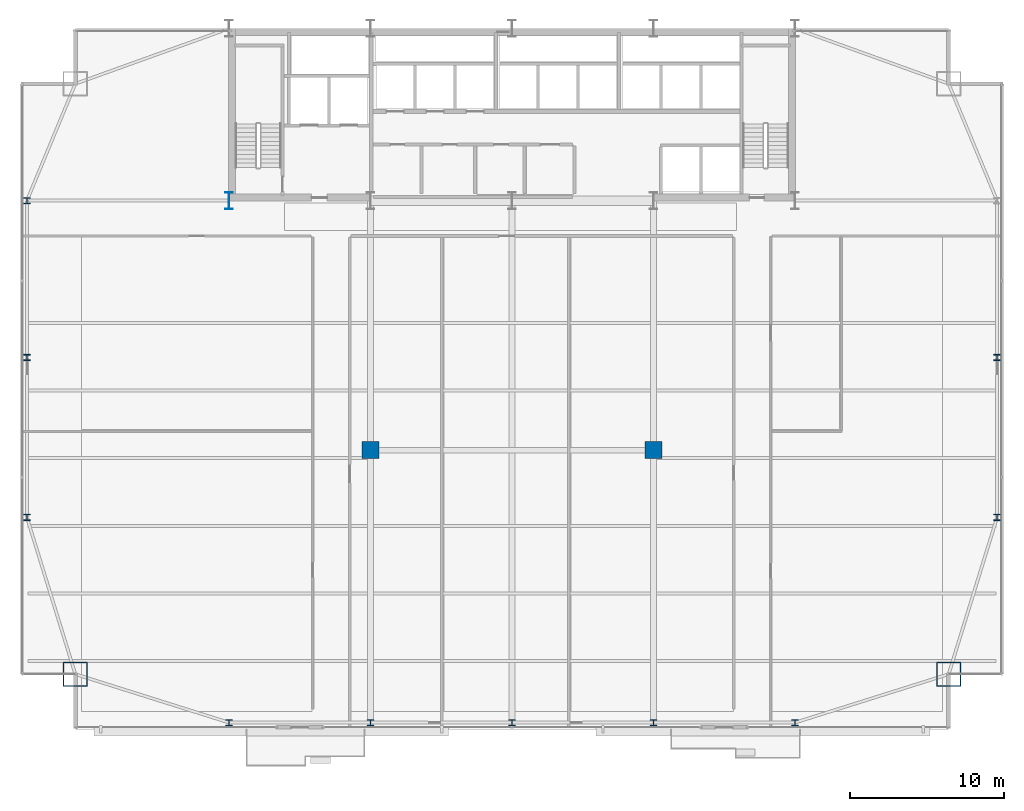
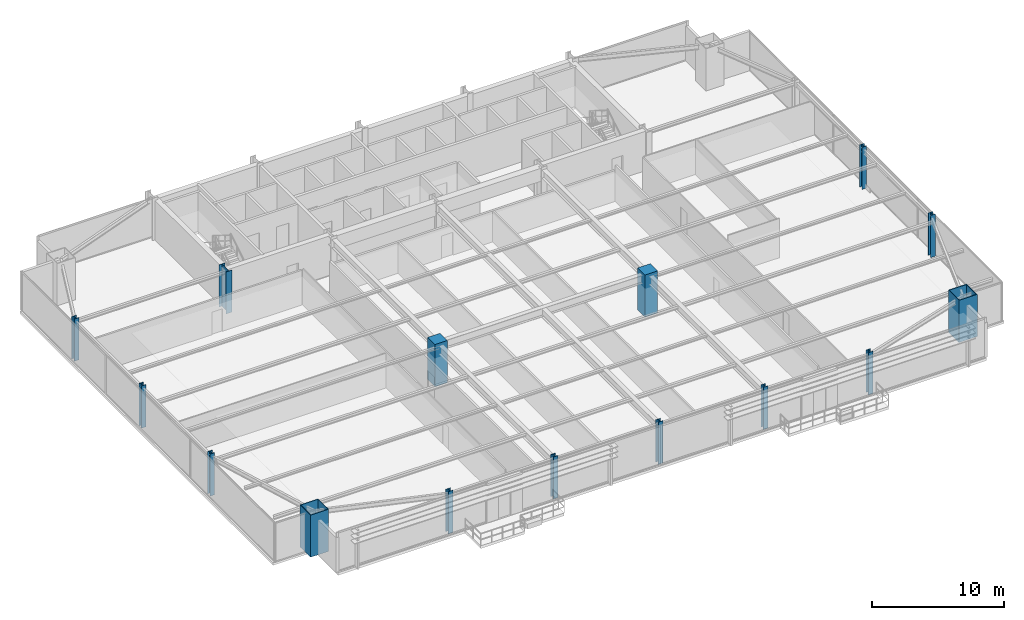
# One storey, part 1 of 31: 15 columns.
"""IFC4 building model written with IfcOpenShell, lengths in metres."""

from ifc_helpers import new_model, si_unit, direction, frame, origin, origin_2d, place, context, subcontext, project, spatial, rectangle, hollow_rectangle, i_section, extrude, source, transform, mapped, material, material_profile, profile_set, type_object, type_shapes, element, save


model = new_model("IFC4")

# Units and contexts
model_context = context("Model", 3, precision=1e-05, world=origin(), true_north=direction((0.0, 1.0)))
body_context = subcontext(model_context, "Body", "Model", "MODEL_VIEW")
ifc_project = project(units=[si_unit("LENGTHUNIT", "METRE"), si_unit("AREAUNIT", "SQUARE_METRE"), si_unit("VOLUMEUNIT", "CUBIC_METRE"), si_unit("PLANEANGLEUNIT", "RADIAN"), si_unit("MASSUNIT", "GRAM", prefix="KILO")], contexts=[model_context])

# Site, building, storey
site_placement = place(None, origin())
site = spatial("IfcSite", under=ifc_project, at=site_placement, CompositionType="ELEMENT")
building_placement = place(site_placement, origin())
building = spatial("IfcBuilding", under=site, at=building_placement, Name="Varnel Quay Broadcast Tower", CompositionType="ELEMENT")
storey_placement = place(building_placement, frame((0.0, 0.0, 35.39990234375)))
storey = spatial("IfcBuildingStorey", under=building, at=storey_placement, Name="L07", CompositionType="ELEMENT", Elevation=35.39990234375)

# Columns
ifc_material_1 = material(Name="Structural Steel CSA G40.21 350WT", Category="steel")
ifc_material_profile_1 = material_profile(ifc_material_1, i_section(OverallWidth=0.5, OverallDepth=1.10009765625, WebThickness=0.01806640625, FlangeThickness=0.031982421875, FilletRadius=0.01806640625, at=origin_2d()), Name="WWF1100X418")
ifc_profile_set_1 = profile_set([ifc_material_profile_1], Name="Structural Steel CSA G40.21 350WT")
column_type_1 = type_object("IfcColumnType", Name="Col_WWF1100X418", PredefinedType="COLUMN", material=ifc_profile_set_1)
shared_shape_1 = source(origin(), body_context, "Body", "SweptSolid", [
    extrude(i_section(OverallWidth=0.5, OverallDepth=1.10009765625, WebThickness=0.01806640625, FlangeThickness=0.031982421875, FilletRadius=0.01806640625, at=origin_2d()), origin(), (0.0, 0.0, 1.0), 3.900146484375),
])
type_shapes(column_type_1, [shared_shape_1])
column_placement = place(storey_placement, frame((15.60009765625, 35.60009765625, 0.0), z_axis=(0.0, 0.0, 1.0), x_axis=(1.0, 0.0, 0.0)))
element("IfcColumn", 1, at=column_placement, inside=storey, type_object=column_type_1, Name="L07 Column CC-S1", PredefinedType="COLUMN", context=body_context, shape_type="MappedRepresentation", body=[
    mapped(shared_shape_1, transform((0.0, 0.0, 0.0), x_axis=(1.0, 0.0, 0.0), y_axis=(0.0, 1.0, 0.0), z_axis=(0.0, 0.0, 1.0), scale=1.0)),
])
ifc_material_profile_2 = material_profile(ifc_material_1, hollow_rectangle(XDim=1.60009765625, YDim=1.60009765625, WallThickness=0.06005859375, at=origin_2d()), Name="BOX1600X1600X60")
ifc_profile_set_2 = profile_set([ifc_material_profile_2], Name="Structural Steel CSA G40.21 350WT")
column_type_2 = type_object("IfcColumnType", Name="Col_BOX1600X1600X60", PredefinedType="COLUMN", material=ifc_profile_set_2)
shared_shape_2 = source(origin(), body_context, "Body", "SweptSolid", [
    extrude(hollow_rectangle(XDim=1.60009765625, YDim=1.60009765625, WallThickness=0.06005859375, at=origin_2d()), origin(), (0.0, 0.0, 1.0), 3.900146484375),
])
type_shapes(column_type_2, [shared_shape_2])
for number, where, z_axis, x_axis, name in (
    (2, (5.60009765625, 4.800048828125, 0.0), (0.0, 0.0, 1.0), (1.0, 0.0, 0.0), "L07 Column MC-SW"),
    (3, (62.39990234375, 4.800048828125, 0.0), (0.0, 0.0, 1.0), (1.0, 0.0, 0.0), "L07 Column MC-SE"),
):
    element("IfcColumn", number, at=place(storey_placement, frame(where, z_axis=z_axis, x_axis=x_axis)), inside=storey, type_object=column_type_2, Name=name, PredefinedType="COLUMN", context=body_context, shape_type="MappedRepresentation", body=[
        mapped(shared_shape_2, transform((0.0, 0.0, 0.0), x_axis=(1.0, 0.0, 0.0), y_axis=(0.0, 1.0, 0.0), z_axis=(0.0, 0.0, 1.0), scale=1.0)),
    ])
ifc_material_2 = material(Name="Structural Steel CSA G40.21 350W", Category="steel")
ifc_material_profile_3 = material_profile(ifc_material_2, i_section(OverallWidth=0.404052734375, OverallDepth=0.406982421875, WebThickness=0.027099609375, FlangeThickness=0.043701171875, FilletRadius=0.01806640625, at=origin_2d()), Name="W360X347")
ifc_profile_set_3 = profile_set([ifc_material_profile_3], Name="Structural Steel CSA G40.21 350W")
column_type_3 = type_object("IfcColumnType", Name="Col_W360X347", PredefinedType="COLUMN", material=ifc_profile_set_3)
shared_shape_3 = source(origin(), body_context, "Body", "SweptSolid", [
    extrude(i_section(OverallWidth=0.404052734375, OverallDepth=0.406982421875, WebThickness=0.027099609375, FlangeThickness=0.043701171875, FilletRadius=0.01806640625, at=origin_2d()), origin(), (0.0, 0.0, 1.0), 3.900146484375),
])
type_shapes(column_type_3, [shared_shape_3])
for number, where, z_axis, x_axis, name in (
    (4, (15.60009765625, 1.64990234375, 0.0), (0.0, 0.0, 1.0), (1.0, 0.0, 0.0), "L07 Column TC-S1"),
    (5, (24.800048828125, 1.64990234375, 0.0), (0.0, 0.0, 1.0), (1.0, 0.0, 0.0), "L07 Column TC-S2"),
    (6, (34.0, 1.64990234375, 0.0), (0.0, 0.0, 1.0), (1.0, 0.0, 0.0), "L07 Column TC-S3"),
    (7, (43.199951171875, 1.64990234375, 0.0), (0.0, 0.0, 1.0), (1.0, 0.0, 0.0), "L07 Column TC-S4"),
    (8, (52.39990234375, 1.64990234375, 0.0), (0.0, 0.0, 1.0), (1.0, 0.0, 0.0), "L07 Column TC-S5"),
    (9, (2.449951171875, 15.0, 0.0), (0.0, 0.0, 1.0), (1.0, 0.0, 0.0), "L07 Column TC-W1"),
    (10, (65.550048828125, 15.0, 0.0), (0.0, 0.0, 1.0), (1.0, 0.0, 0.0), "L07 Column TC-E1"),
    (11, (2.449951171875, 25.39990234375, 0.0), (0.0, 0.0, 1.0), (1.0, 0.0, 0.0), "L07 Column TC-W2"),
    (12, (65.550048828125, 25.39990234375, 0.0), (0.0, 0.0, 1.0), (1.0, 0.0, 0.0), "L07 Column TC-E2"),
    (13, (2.449951171875, 35.60009765625, 0.0), (0.0, 0.0, 1.0), (1.0, 0.0, 0.0), "L07 Column TC-W3"),
):
    element("IfcColumn", number, at=place(storey_placement, frame(where, z_axis=z_axis, x_axis=x_axis)), inside=storey, type_object=column_type_3, Name=name, PredefinedType="COLUMN", context=body_context, shape_type="MappedRepresentation", body=[
        mapped(shared_shape_3, transform((0.0, 0.0, 0.0), x_axis=(1.0, 0.0, 0.0), y_axis=(0.0, 1.0, 0.0), z_axis=(0.0, 0.0, 1.0), scale=1.0)),
    ])
ifc_material_3 = material(Name="Concrete CSA A23.3 C60/75", Category="concrete")
ifc_material_profile_4 = material_profile(ifc_material_3, rectangle(XDim=1.10009765625, YDim=1.10009765625, at=origin_2d()), Name="RC1100X1100")
ifc_profile_set_4 = profile_set([ifc_material_profile_4], Name="Concrete CSA A23.3 C60/75")
column_type_4 = type_object("IfcColumnType", Name="Col_RC1100X1100", PredefinedType="COLUMN", material=ifc_profile_set_4)
shared_shape_4 = source(origin(), body_context, "Body", "SweptSolid", [
    extrude(rectangle(XDim=1.10009765625, YDim=1.10009765625, at=origin_2d()), origin(), (0.0, 0.0, 1.0), 3.900146484375),
])
type_shapes(column_type_4, [shared_shape_4])
for number, where, z_axis, x_axis, name in (
    (14, (24.800048828125, 19.3701171875, 0.0), (0.0, 0.0, 1.0), (1.0, 0.0, 0.0), "L07 Column IC-01"),
    (15, (43.199951171875, 19.3701171875, 0.0), (0.0, 0.0, 1.0), (1.0, 0.0, 0.0), "L07 Column IC-02"),
):
    element("IfcColumn", number, at=place(storey_placement, frame(where, z_axis=z_axis, x_axis=x_axis)), inside=storey, type_object=column_type_4, Name=name, PredefinedType="COLUMN", context=body_context, shape_type="MappedRepresentation", body=[
        mapped(shared_shape_4, transform((0.0, 0.0, 0.0), x_axis=(1.0, 0.0, 0.0), y_axis=(0.0, 1.0, 0.0), z_axis=(0.0, 0.0, 1.0), scale=1.0)),
    ])

save(model, "model.ifc")
